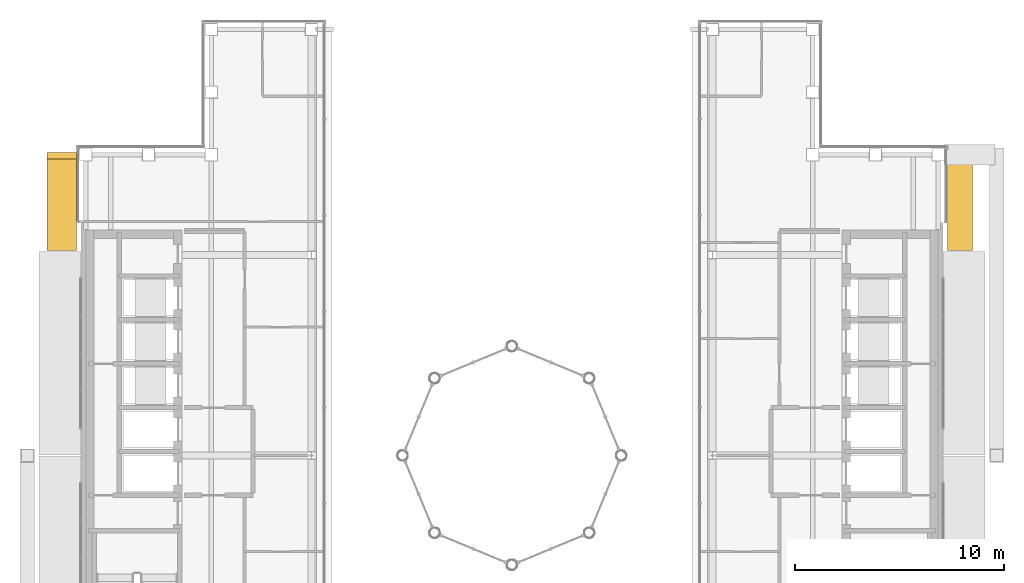
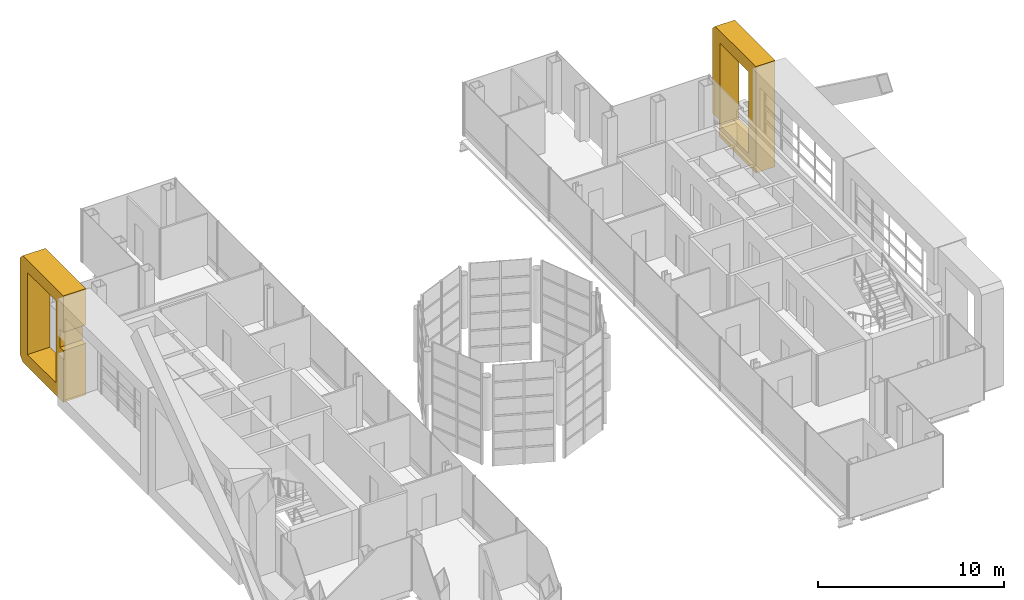
# One storey, part 20 of 21: 2 coverings.
"""IFC4 building model written with IfcOpenShell, lengths in metres."""

import ifcopenshell
import ifcopenshell.guid

model = None  # the IFC model being written
_history = None  # IfcOwnerHistory: only IFC2X3 demands one
_inside = {}  # id of a spatial element -> (the spatial element, [elements in it])
_under = {}  # id of a project, library or spatial element -> (it, [spatial elements below it])
_declared = {}  # id of a project -> (the project, [libraries it declares])
_typed = {}  # id of a type object -> (the type object, [elements of that type])
_made_of = {}  # id of a material, layer set ... -> (it, [elements and type objects made of it])


def new_model(schema):
    """Start an empty IFC model of exactly this schema.

    Asked for "IFC4X3", IfcOpenShell would pick the latest addendum, in which some entities
    have other attributes; the version numbers below select the first issue.
    IFC2X3 requires an IfcOwnerHistory on every rooted entity: one is made here for all.
    """
    global model, _history
    if schema == "IFC4X3":
        model = ifcopenshell.file(schema_version=(4, 3, 0, 0))
    else:
        model = ifcopenshell.file(schema=schema)
    _inside.clear()
    _under.clear()
    _declared.clear()
    _typed.clear()
    _made_of.clear()
    _history = None
    if model.schema == "IFC2X3":
        org = make("IfcOrganization", Name="unknown")
        user = make(
            "IfcPersonAndOrganization",
            ThePerson=make("IfcPerson", FamilyName="unknown"),
            TheOrganization=org,
        )
        app = make(
            "IfcApplication",
            ApplicationDeveloper=org,
            Version="unknown",
            ApplicationFullName="unknown",
            ApplicationIdentifier="unknown",
        )
        _history = make(
            "IfcOwnerHistory",
            OwningUser=user,
            OwningApplication=app,
            ChangeAction="ADDED",
            CreationDate=0,
        )
    return model


def make(cls, **values):
    """One entity of the class cls with the attributes given. An attribute that is None is left unset."""
    return model.create_entity(
        cls, **{name: value for name, value in values.items() if value is not None}
    )


def rooted(cls, **values):
    """An entity with a GlobalId (a new one), such as an element, a storey or a relation."""
    return make(cls, GlobalId=ifcopenshell.guid.new(), OwnerHistory=_history, **values)


def si_unit(unit_type, name, prefix=None):
    """IfcSIUnit, for example si_unit("LENGTHUNIT", "METRE", prefix="MILLI")."""
    return make("IfcSIUnit", UnitType=unit_type, Prefix=prefix, Name=name)


def assignment(units):
    """IfcUnitAssignment: the units of a project."""
    return None if units is None else make("IfcUnitAssignment", Units=units)


def point(xyz):
    """IfcCartesianPoint."""
    return None if xyz is None else make("IfcCartesianPoint", Coordinates=xyz)


def direction(xyz):
    """IfcDirection."""
    return None if xyz is None else make("IfcDirection", DirectionRatios=xyz)


def frame(location, z_axis=None, x_axis=None):
    """IfcAxis2Placement3D, a coordinate frame: its origin and axes. An axis left out is left unset."""
    return make(
        "IfcAxis2Placement3D",
        Location=point(location),
        Axis=direction(z_axis),
        RefDirection=direction(x_axis),
    )


def origin():
    """The frame at (0, 0, 0) with its axes left unset."""
    return frame((0.0, 0.0, 0.0))


def place(relative_to, where):
    """IfcLocalPlacement: puts the frame where relative to a parent placement (None: the world)."""
    return make(
        "IfcLocalPlacement", PlacementRelTo=relative_to, RelativePlacement=where
    )


def context(
    kind, dimensions, precision=None, world=None, true_north=None, identifier=None
):
    """IfcGeometricRepresentationContext, for example the 3D "Model" context."""
    return make(
        "IfcGeometricRepresentationContext",
        ContextIdentifier=identifier,
        ContextType=kind,
        CoordinateSpaceDimension=dimensions,
        Precision=precision,
        WorldCoordinateSystem=world,
        TrueNorth=true_north,
    )


def subcontext(parent, identifier, kind, view, scale=None):
    """IfcGeometricRepresentationSubContext, for example "Body" below "Model"."""
    return make(
        "IfcGeometricRepresentationSubContext",
        ContextIdentifier=identifier,
        ContextType=kind,
        ParentContext=parent,
        TargetScale=scale,
        TargetView=view,
    )


def project(units=None, contexts=None):
    """IfcProject with its units and contexts."""
    return rooted(
        "IfcProject",
        Name="project",
        RepresentationContexts=contexts,
        UnitsInContext=assignment(units),
    )


def spatial(cls, under=None, at=None, **own):
    """A site, building, storey or space (cls), placed at a placement, below another one or the project."""
    s = rooted(cls, ObjectPlacement=at, **own)
    if under is not None:
        _under.setdefault(under.id(), (under, []))[1].append(s)
    return s


def polyline(points):
    """IfcPolyline through the points."""
    return make("IfcPolyline", Points=[point(p) for p in points])


def outline(outer, holes=None, kind="AREA"):
    """IfcArbitraryClosedProfileDef: a profile drawn as a closed curve; with holes, ...WithVoids."""
    if holes is None:
        return make("IfcArbitraryClosedProfileDef", ProfileType=kind, OuterCurve=outer)
    return make(
        "IfcArbitraryProfileDefWithVoids",
        ProfileType=kind,
        OuterCurve=outer,
        InnerCurves=holes,
    )


def extrude(swept, where, along, depth):
    """IfcExtrudedAreaSolid: the profile swept, set in the frame where, extruded along a direction by depth."""
    return make(
        "IfcExtrudedAreaSolid",
        SweptArea=swept,
        Position=where,
        ExtrudedDirection=direction(along),
        Depth=depth,
    )


def shape(context_of_items, identifier, shape_type, items):
    """IfcShapeRepresentation: the items that make up one representation, for example the "Body"."""
    return make(
        "IfcShapeRepresentation",
        ContextOfItems=context_of_items,
        RepresentationIdentifier=identifier,
        RepresentationType=shape_type,
        Items=items,
    )


def material(Name=None, Category=None):
    """IfcMaterial."""
    return make("IfcMaterial", Name=Name, Category=Category)


def made_of(thing, what):
    """Note that an element or type object is made of a material, layer set ...; save() writes the relation."""
    if what is not None:
        _made_of.setdefault(what.id(), (what, []))[1].append(thing)
    return thing


def type_object(cls, material=None, **own):
    """A type object (cls), such as IfcWallType, which elements share."""
    return made_of(rooted(cls, **own), material)


def element(
    cls,
    number,
    at=None,
    inside=None,
    cuts=None,
    type_object=None,
    material=None,
    context=None,
    identifier="Body",
    shape_type=None,
    held_by="IfcProductDefinitionShape",
    body=None,
    shapes=None,
    **own,
):
    """One element of the class cls, such as IfcWall. Its Tag is "e" and its number.

    at: its placement. inside: the storey or other place that contains it. cuts: it is an
    opening in that element (IfcRelVoidsElement). A single representation is given by context,
    identifier, shape_type and body (its items); several are given by shapes. held_by: the class
    of the entity that holds the representations. save() writes the other relations.
    """
    e = rooted(cls, Tag="e%d" % number, ObjectPlacement=at, **own)
    if body is not None:
        shapes = [shape(context, identifier, shape_type, body)]
    if shapes is not None:
        e.Representation = make(held_by, Representations=shapes)
    if inside is not None:
        _inside.setdefault(inside.id(), (inside, []))[1].append(e)
    if cuts is not None:
        rooted(
            "IfcRelVoidsElement", RelatingBuildingElement=cuts, RelatedOpeningElement=e
        )
    if type_object is not None:
        _typed.setdefault(type_object.id(), (type_object, []))[1].append(e)
    return made_of(e, material)


def aggregate(whole, parts):
    """IfcRelAggregates: a whole, such as a stair, and the parts it consists of."""
    return rooted("IfcRelAggregates", RelatingObject=whole, RelatedObjects=parts)


def save(model, path):
    """Write the relations noted so far, then the file.

    IfcRelAggregates (storeys below a building ...), IfcRelContainedInSpatialStructure (elements
    in a storey), IfcRelDefinesByType, IfcRelAssociatesMaterial and IfcRelDeclares: one each for
    every whole, place, type object, material and project.
    """
    for whole, parts in _under.values():
        aggregate(whole, parts)
    for where, things in _inside.values():
        rooted(
            "IfcRelContainedInSpatialStructure",
            RelatedElements=things,
            RelatingStructure=where,
        )
    for kind, things in _typed.values():
        rooted("IfcRelDefinesByType", RelatedObjects=things, RelatingType=kind)
    for what, things in _made_of.values():
        rooted("IfcRelAssociatesMaterial", RelatedObjects=things, RelatingMaterial=what)
    for by, libraries in _declared.values():
        rooted("IfcRelDeclares", RelatingContext=by, RelatedDefinitions=libraries)
    model.write(path)


model = new_model("IFC4")

# Units and contexts
model_context = context("Model", 3, precision=1e-05, world=origin(), true_north=direction((0.0, 1.0)))
body_context = subcontext(model_context, "Body", "Model", "MODEL_VIEW")
ifc_project = project(units=[si_unit("LENGTHUNIT", "METRE"), si_unit("AREAUNIT", "SQUARE_METRE"), si_unit("VOLUMEUNIT", "CUBIC_METRE"), si_unit("PLANEANGLEUNIT", "RADIAN"), si_unit("MASSUNIT", "GRAM", prefix="KILO")], contexts=[model_context])

# Site, building, storey
site_placement = place(None, origin())
site = spatial("IfcSite", under=ifc_project, at=site_placement, CompositionType="ELEMENT")
building_placement = place(site_placement, origin())
building = spatial("IfcBuilding", under=site, at=building_placement, Name="Cobrizo Arcos Hotel Tower", CompositionType="ELEMENT")
storey_placement = place(building_placement, frame((0.0, 0.0, 276.0)))
storey = spatial("IfcBuildingStorey", under=building, at=storey_placement, Name="L73", CompositionType="ELEMENT", Elevation=276.0)

# Coverings
ifc_material = material(Name="Aluminium 6063-T6 anodised bronze", Category="aluminium")
covering_type_1 = type_object("IfcCoveringType", Name="FIN-F 1200", PredefinedType="CLADDING", material=ifc_material)
covering_1_placement = place(storey_placement, frame((20.85009765625, 9.824951171875, 0.0), z_axis=(1.0, 0.0, 0.0), x_axis=(0.0, 1.0, 0.0)))
element("IfcCovering", 1, at=covering_1_placement, inside=storey, type_object=covering_type_1, Name="Fin frame 402", PredefinedType="CLADDING", context=body_context, shape_type="SweptSolid", body=[
    extrude(outline(polyline([(0.0, 0.0), (3.972900390625, 0.0), (3.972900390625, 1.10205078125), (4.675048828125, 1.10205078125), (4.675048828125, 6.699951171875), (4.375, 7.0), (0.0, 7.0), (0.0, 0.0)]), holes=[polyline([(3.875, 0.800048828125), (0.800048828125, 0.800048828125), (0.800048828125, 6.199951171875), (3.875, 6.199951171875), (3.875, 0.800048828125)])]), origin(), (0.0, 0.0, 1.0), 1.199951171875),
])
covering_type_2 = type_object("IfcCoveringType", Name="FIN-F 1400", PredefinedType="CLADDING", material=ifc_material)
covering_2_placement = place(storey_placement, frame((-20.85009765625, 14.5, 0.0), z_axis=(-1.0, 0.0, 0.0), x_axis=(0.0, -1.0, 0.0)))
element("IfcCovering", 2, at=covering_2_placement, inside=storey, type_object=covering_type_2, Name="Fin frame 443", PredefinedType="CLADDING", context=body_context, shape_type="SweptSolid", body=[
    extrude(outline(polyline([(4.675048828125, 0.0), (4.675048828125, 3.39794921875), (4.298095703125, 3.39794921875), (4.298095703125, 4.60205078125), (4.675048828125, 4.60205078125), (4.675048828125, 7.0), (0.300048828125, 7.0), (0.0, 6.699951171875), (0.0, 0.300048828125), (0.300048828125, 0.0), (4.675048828125, 0.0)]), holes=[polyline([(3.875, 0.800048828125), (0.800048828125, 0.800048828125), (0.800048828125, 6.199951171875), (3.875, 6.199951171875), (3.875, 0.800048828125)])]), origin(), (0.0, 0.0, 1.0), 1.39990234375),
])

save(model, "model.ifc")
